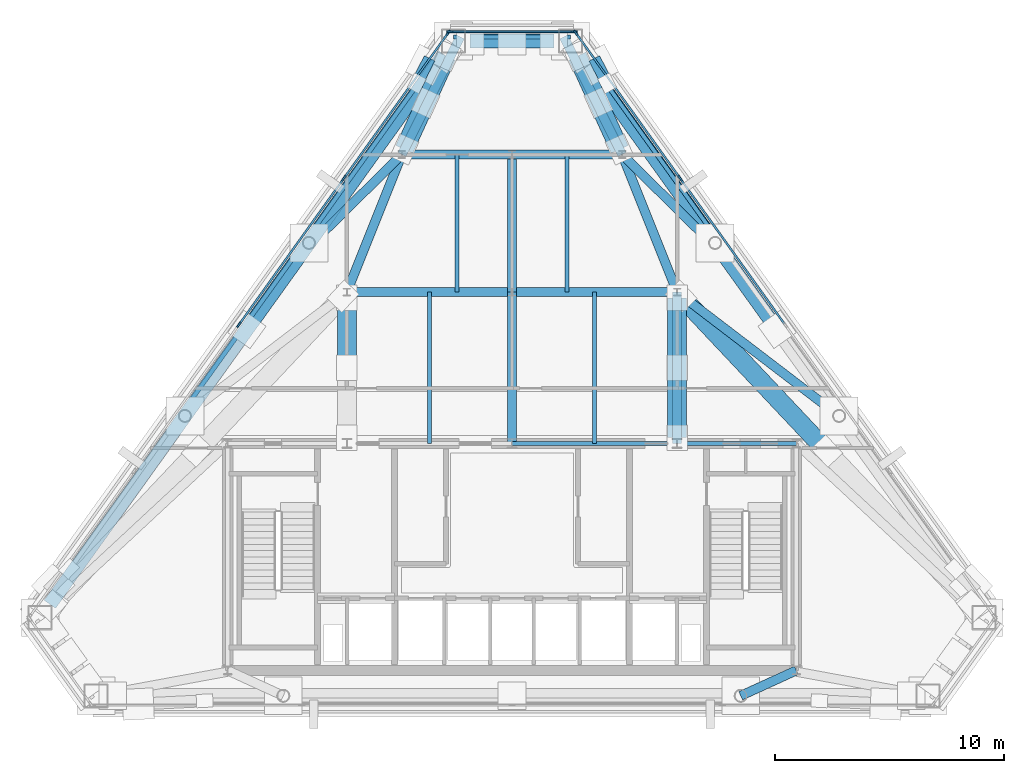
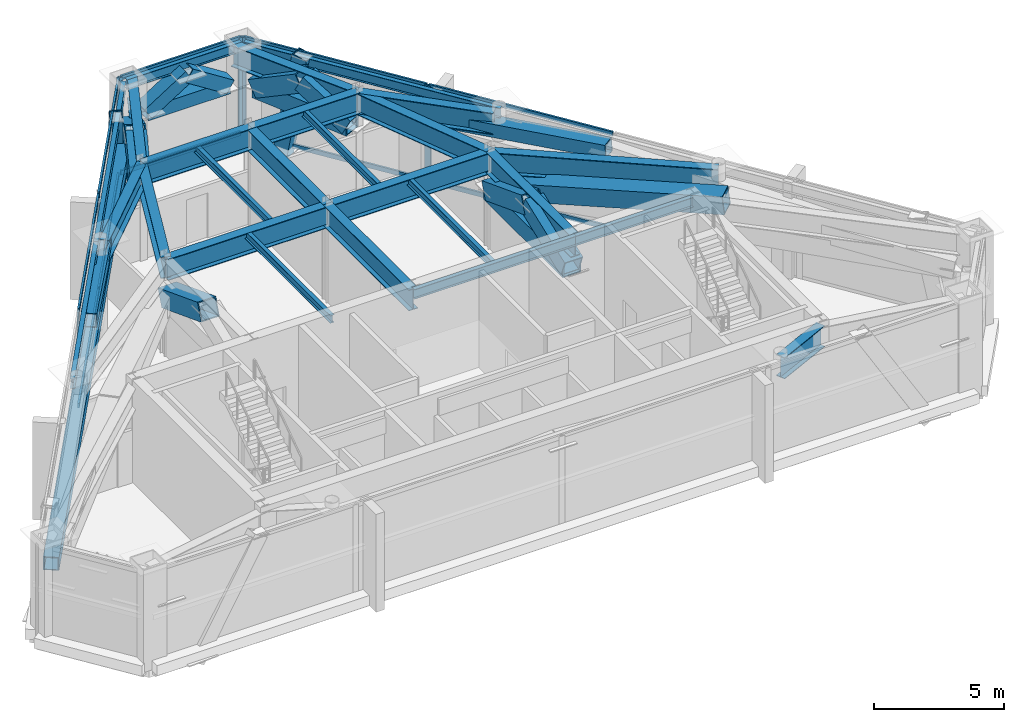
# One storey, part 3 of 9: 36 members, 25 beams, 3 elements without a shape of their own.
"""IFC4 building model written with IfcOpenShell, lengths in metres."""

from ifc_helpers import new_model, si_unit, direction, frame, origin, origin_2d, place, context, subcontext, project, spatial, rectangle, hollow_rectangle, i_section, extrude, material, layer, layer_set, material_profile, profile_set, type_object, element, aggregate, save


model = new_model("IFC4")

# Units and contexts
model_context = context("Model", 3, precision=1e-05, world=origin(), true_north=direction((0.0, 1.0)))
body_context = subcontext(model_context, "Body", "Model", "MODEL_VIEW")
ifc_project = project(units=[si_unit("LENGTHUNIT", "METRE"), si_unit("AREAUNIT", "SQUARE_METRE"), si_unit("VOLUMEUNIT", "CUBIC_METRE"), si_unit("PLANEANGLEUNIT", "RADIAN"), si_unit("MASSUNIT", "GRAM", prefix="KILO")], contexts=[model_context])

# Site, building, storey
site_placement = place(None, origin())
site = spatial("IfcSite", under=ifc_project, at=site_placement, CompositionType="ELEMENT")
building_placement = place(site_placement, origin())
building = spatial("IfcBuilding", under=site, at=building_placement, Name="Talgorran Terracotta Tower", CompositionType="ELEMENT")
storey_placement = place(building_placement, frame((0.0, 0.0, 244.199951171875)))
storey = spatial("IfcBuildingStorey", under=building, at=storey_placement, Name="L64", CompositionType="ELEMENT", Elevation=244.199951171875)

# Beams
ifc_material_1 = material(Name="Steel Grade 350 (350L0)", Category="steel")
ifc_material_profile_1 = material_profile(ifc_material_1, i_section(OverallWidth=0.39990234375, OverallDepth=1.0, WebThickness=0.01611328125, FlangeThickness=0.031005859375, at=origin_2d()), Name="1000WB296")
ifc_profile_set_1 = profile_set([ifc_material_profile_1], Name="Steel Grade 350 (350L0)")
beam_type_1 = type_object("IfcBeamType", Name="BM_1000WB296", PredefinedType="BEAM", material=ifc_profile_set_1)
beam_1_placement = place(storey_placement, frame((12.39990234375, -14.10009765625, 4.045166015625), z_axis=(-0.909558570389, -0.415575753661, 0.0), x_axis=(0.415575753661, -0.909558570389, 0.0)))
element("IfcBeam", 1, at=beam_1_placement, inside=storey, type_object=beam_type_1, Name="L64 South-East Core Tie Beam", PredefinedType="BEAM", context=body_context, shape_type="SweptSolid", body=[
    extrude(i_section(OverallWidth=0.39990234375, OverallDepth=1.0, WebThickness=0.01611328125, FlangeThickness=0.031005859375, at=origin_2d()), origin(), (0.0, 0.0, 1.0), 2.665283203125),
])
for number, where, z_axis, x_axis, name in (
    (2, (2.258056640625, 13.53662109375, 4.045166015625), (0.443529350633, -0.896259847994, 0.0), (0.896259847994, 0.443529350633, 0.0), "L64 Perimeter Step Girder 9B"),
    (3, (-2.258056640625, 13.53662109375, 4.045166015625), (-0.443529350633, -0.896259847994, 0.0), (0.896259847994, -0.443529350633, 0.0), "L64 Perimeter Step Girder 10B"),
):
    element("IfcBeam", number, at=place(storey_placement, frame(where, z_axis=z_axis, x_axis=x_axis)), inside=storey, type_object=beam_type_1, Name=name, PredefinedType="BEAM", context=body_context, shape_type="SweptSolid", body=[
        extrude(i_section(OverallWidth=0.39990234375, OverallDepth=1.0, WebThickness=0.01611328125, FlangeThickness=0.031005859375, at=origin_2d()), origin(), (0.0, 0.0, 1.0), 5.731201171875),
    ])
for number, where, z_axis, x_axis, name in (
    (4, (0.0, -4.199951171875, 4.045166015625), (0.0, 1.0, 0.0), (-1.0, 0.0, 0.0), "L64 Floor Girder G02"),
    (5, (7.199951171875, -4.199951171875, 4.045166015625), (0.0, 1.0, 0.0), (-1.0, 0.0, 0.0), "L64 Floor Girder G03"),
):
    element("IfcBeam", number, at=place(storey_placement, frame(where, z_axis=z_axis, x_axis=x_axis)), inside=storey, type_object=beam_type_1, Name=name, PredefinedType="BEAM", context=body_context, shape_type="SweptSolid", body=[
        extrude(i_section(OverallWidth=0.39990234375, OverallDepth=1.0, WebThickness=0.01611328125, FlangeThickness=0.031005859375, at=origin_2d()), origin(), (0.0, 0.0, 1.0), 6.599853515625),
    ])
for number, where, z_axis, x_axis, name in (
    (6, (-7.199951171875, 2.39990234375, 4.045166015625), (1.0, 0.0, 0.0), (0.0, 1.0, 0.0), "L64 Floor Girder G04"),
    (7, (0.0, 2.39990234375, 4.045166015625), (1.0, 0.0, 0.0), (0.0, 1.0, 0.0), "L64 Floor Girder G05"),
):
    element("IfcBeam", number, at=place(storey_placement, frame(where, z_axis=z_axis, x_axis=x_axis)), inside=storey, type_object=beam_type_1, Name=name, PredefinedType="BEAM", context=body_context, shape_type="SweptSolid", body=[
        extrude(i_section(OverallWidth=0.39990234375, OverallDepth=1.0, WebThickness=0.01611328125, FlangeThickness=0.031005859375, at=origin_2d()), origin(), (0.0, 0.0, 1.0), 7.199951171875),
    ])
beam_2_placement = place(storey_placement, frame((7.199951171875, 2.39990234375, 4.045166015625), z_axis=(0.794675605049, -0.60703433407, 0.0), x_axis=(0.60703433407, 0.794675605049, 0.0)))
element("IfcBeam", 8, at=beam_2_placement, inside=storey, type_object=beam_type_1, Name="L64 Floor Girder G07", PredefinedType="BEAM", context=body_context, shape_type="SweptSolid", body=[
    extrude(i_section(OverallWidth=0.39990234375, OverallDepth=1.0, WebThickness=0.01611328125, FlangeThickness=0.031005859375, at=origin_2d()), origin(), (0.0, 0.0, 1.0), 8.894287109375),
])
beam_3_placement = place(storey_placement, frame((-7.199951171875, 2.39990234375, 4.045166015625), z_axis=(0.371377648723, 0.928481901832, 0.0), x_axis=(-0.928481901832, 0.371377648723, 0.0)))
element("IfcBeam", 9, at=beam_3_placement, inside=storey, type_object=beam_type_1, Name="L64 Floor Girder G08", PredefinedType="BEAM", context=body_context, shape_type="SweptSolid", body=[
    extrude(i_section(OverallWidth=0.39990234375, OverallDepth=1.0, WebThickness=0.01611328125, FlangeThickness=0.031005859375, at=origin_2d()), origin(), (0.0, 0.0, 1.0), 6.462158203125),
])
beam_4_placement = place(storey_placement, frame((0.0, 2.39990234375, 4.045166015625), z_axis=(0.0, 1.0, 0.0), x_axis=(-1.0, 0.0, 0.0)))
element("IfcBeam", 10, at=beam_4_placement, inside=storey, type_object=beam_type_1, Name="L64 Floor Girder G09", PredefinedType="BEAM", context=body_context, shape_type="SweptSolid", body=[
    extrude(i_section(OverallWidth=0.39990234375, OverallDepth=1.0, WebThickness=0.01611328125, FlangeThickness=0.031005859375, at=origin_2d()), origin(), (0.0, 0.0, 1.0), 6.0),
])
beam_5_placement = place(storey_placement, frame((7.199951171875, 2.39990234375, 4.045166015625), z_axis=(-0.371377648723, 0.928481901832, 0.0), x_axis=(-0.928481901832, -0.371377648723, 0.0)))
element("IfcBeam", 11, at=beam_5_placement, inside=storey, type_object=beam_type_1, Name="L64 Floor Girder G10", PredefinedType="BEAM", context=body_context, shape_type="SweptSolid", body=[
    extrude(i_section(OverallWidth=0.39990234375, OverallDepth=1.0, WebThickness=0.01611328125, FlangeThickness=0.031005859375, at=origin_2d()), origin(), (0.0, 0.0, 1.0), 6.462158203125),
])
for number, where, z_axis, x_axis, name in (
    (12, (-4.800048828125, 8.39990234375, 4.045166015625), (1.0, 0.0, 0.0), (0.0, 1.0, 0.0), "L64 Floor Girder G11"),
    (13, (0.0, 8.39990234375, 4.045166015625), (1.0, 0.0, 0.0), (0.0, 1.0, 0.0), "L64 Floor Girder G12"),
):
    element("IfcBeam", number, at=place(storey_placement, frame(where, z_axis=z_axis, x_axis=x_axis)), inside=storey, type_object=beam_type_1, Name=name, PredefinedType="BEAM", context=body_context, shape_type="SweptSolid", body=[
        extrude(i_section(OverallWidth=0.39990234375, OverallDepth=1.0, WebThickness=0.01611328125, FlangeThickness=0.031005859375, at=origin_2d()), origin(), (0.0, 0.0, 1.0), 4.800048828125),
    ])
for number, where, z_axis, x_axis, name in (
    (14, (-4.800048828125, 8.39990234375, 4.045166015625), (-0.711847800696, -0.702333758725, 0.0), (0.702333758725, -0.711847800696, 0.0), "L64 Floor Girder G13"),
    (15, (4.800048828125, 8.39990234375, 4.045166015625), (0.711847800696, -0.702333758725, 0.0), (0.702333758725, 0.711847800696, 0.0), "L64 Floor Girder G14"),
):
    element("IfcBeam", number, at=place(storey_placement, frame(where, z_axis=z_axis, x_axis=x_axis)), inside=storey, type_object=beam_type_1, Name=name, PredefinedType="BEAM", context=body_context, shape_type="SweptSolid", body=[
        extrude(i_section(OverallWidth=0.39990234375, OverallDepth=1.0, WebThickness=0.01611328125, FlangeThickness=0.031005859375, at=origin_2d()), origin(), (0.0, 0.0, 1.0), 5.440185546875),
    ])
ifc_material_2 = material(Name="Steel S355 (300PLUS)", Category="steel")
ifc_material_profile_2 = material_profile(ifc_material_2, i_section(OverallWidth=0.17138671875, OverallDepth=0.355712890625, WebThickness=0.00732421875, FlangeThickness=0.011474609375, at=origin_2d()), Name="360UB50.7")
ifc_profile_set_2 = profile_set([ifc_material_profile_2], Name="Steel S355 (300PLUS)")
beam_type_2 = type_object("IfcBeamType", Name="BM_JS_360UB51", PredefinedType="JOIST", material=ifc_profile_set_2)
for number, where, z_axis, x_axis, name in (
    (16, (-3.60009765625, -4.199951171875, 4.3671875), (0.0, 1.0, 0.0), (-1.0, 0.0, 0.0), "L64 Secondary Joist J01"),
    (17, (3.60009765625, -4.199951171875, 4.3671875), (0.0, 1.0, 0.0), (-1.0, 0.0, 0.0), "L64 Secondary Joist J02"),
):
    element("IfcBeam", number, at=place(storey_placement, frame(where, z_axis=z_axis, x_axis=x_axis)), inside=storey, type_object=beam_type_2, Name=name, PredefinedType="JOIST", context=body_context, shape_type="SweptSolid", body=[
        extrude(i_section(OverallWidth=0.17138671875, OverallDepth=0.355712890625, WebThickness=0.00732421875, FlangeThickness=0.011474609375, at=origin_2d()), origin(), (0.0, 0.0, 1.0), 6.599853515625),
    ])
for number, where, z_axis, x_axis, name in (
    (18, (-2.39990234375, 2.39990234375, 4.3671875), (0.0, 1.0, 0.0), (-1.0, 0.0, 0.0), "L64 Secondary Joist J03"),
    (19, (2.39990234375, 2.39990234375, 4.3671875), (0.0, 1.0, 0.0), (-1.0, 0.0, 0.0), "L64 Secondary Joist J04"),
):
    element("IfcBeam", number, at=place(storey_placement, frame(where, z_axis=z_axis, x_axis=x_axis)), inside=storey, type_object=beam_type_2, Name=name, PredefinedType="JOIST", context=body_context, shape_type="SweptSolid", body=[
        extrude(i_section(OverallWidth=0.17138671875, OverallDepth=0.355712890625, WebThickness=0.00732421875, FlangeThickness=0.011474609375, at=origin_2d()), origin(), (0.0, 0.0, 1.0), 6.0),
    ])
ifc_material_profile_3 = material_profile(ifc_material_2, i_section(OverallWidth=0.18994140625, OverallDepth=0.45703125, WebThickness=0.009033203125, FlangeThickness=0.014404296875, at=origin_2d()), Name="460UB74.6")
ifc_profile_set_3 = profile_set([ifc_material_profile_3], Name="Steel S355 (300PLUS)")
beam_type_3 = type_object("IfcBeamType", Name="BM_SP_460UB74", PredefinedType="SPANDREL", material=ifc_profile_set_3)
beam_6_placement = place(storey_placement, frame((9.0048828125, 4.65087890625, 4.316650390625), z_axis=(-0.5826658635, 0.812711813321, 0.0), x_axis=(-0.812711813321, -0.5826658635, 0.0)))
element("IfcBeam", 20, at=beam_6_placement, inside=storey, type_object=beam_type_3, Name="L64 Perimeter Spandrel Beam FC4-MC5", PredefinedType="SPANDREL", context=body_context, shape_type="SweptSolid", body=[
    extrude(i_section(OverallWidth=0.18994140625, OverallDepth=0.45703125, WebThickness=0.009033203125, FlangeThickness=0.014404296875, at=origin_2d()), origin(), (0.0, 0.0, 1.0), 10.831298828125),
])
beam_7_placement = place(storey_placement, frame((2.547607421875, 13.528564453125, 4.316650390625), z_axis=(-1.0, 0.0, 0.0), x_axis=(0.0, -1.0, 0.0)))
element("IfcBeam", 21, at=beam_7_placement, inside=storey, type_object=beam_type_3, Name="L64 Perimeter Spandrel Beam MC5-MC6", PredefinedType="SPANDREL", context=body_context, shape_type="SweptSolid", body=[
    extrude(i_section(OverallWidth=0.18994140625, OverallDepth=0.45703125, WebThickness=0.009033203125, FlangeThickness=0.014404296875, at=origin_2d()), origin(), (0.0, 0.0, 1.0), 5.09521484375),
])
beam_8_placement = place(storey_placement, frame((-2.69384765625, 13.45361328125, 4.316650390625), z_axis=(-0.5826658635, -0.812711813321, 0.0), x_axis=(0.812711813321, -0.5826658635, 0.0)))
element("IfcBeam", 22, at=beam_8_placement, inside=storey, type_object=beam_type_3, Name="L64 Perimeter Spandrel Beam MC6-FC5", PredefinedType="SPANDREL", context=body_context, shape_type="SweptSolid", body=[
    extrude(i_section(OverallWidth=0.18994140625, OverallDepth=0.45703125, WebThickness=0.009033203125, FlangeThickness=0.014404296875, at=origin_2d()), origin(), (0.0, 0.0, 1.0), 10.831298828125),
])
beam_9_placement = place(storey_placement, frame((-9.0048828125, 4.65087890625, 4.316650390625), z_axis=(-0.582665161137, -0.812712316873, 0.0), x_axis=(0.812712316873, -0.582665161137, 0.0)))
element("IfcBeam", 23, at=beam_9_placement, inside=storey, type_object=beam_type_3, Name="L64 Perimeter Spandrel Beam FC5-FC6", PredefinedType="SPANDREL", context=body_context, shape_type="SweptSolid", body=[
    extrude(i_section(OverallWidth=0.18994140625, OverallDepth=0.45703125, WebThickness=0.009033203125, FlangeThickness=0.014404296875, at=origin_2d()), origin(), (0.0, 0.0, 1.0), 9.283935546875),
])
beam_10_placement = place(storey_placement, frame((0.0, -4.199951171875, 4.316650390625), z_axis=(1.0, 0.0, 0.0), x_axis=(0.0, 1.0, 0.0)))
element("IfcBeam", 24, at=beam_10_placement, inside=storey, type_object=beam_type_3, Name="L64 Core Frame Beam CFN3", PredefinedType="SPANDREL", context=body_context, shape_type="SweptSolid", body=[
    extrude(i_section(OverallWidth=0.18994140625, OverallDepth=0.45703125, WebThickness=0.009033203125, FlangeThickness=0.014404296875, at=origin_2d()), origin(), (0.0, 0.0, 1.0), 7.199951171875),
])
beam_11_placement = place(storey_placement, frame((7.199951171875, -4.199951171875, 4.316650390625), z_axis=(1.0, 0.0, 0.0), x_axis=(0.0, 1.0, 0.0)))
element("IfcBeam", 25, at=beam_11_placement, inside=storey, type_object=beam_type_3, Name="L64 Core Frame Beam CFN4", PredefinedType="SPANDREL", context=body_context, shape_type="SweptSolid", body=[
    extrude(i_section(OverallWidth=0.18994140625, OverallDepth=0.45703125, WebThickness=0.009033203125, FlangeThickness=0.014404296875, at=origin_2d()), origin(), (0.0, 0.0, 1.0), 5.199951171875),
])

# Members
ifc_material_profile_4 = material_profile(ifc_material_1, hollow_rectangle(XDim=0.6201171875, YDim=0.6201171875, WallThickness=0.034912109375, at=origin_2d()), Name="WBOX620X620X35")
ifc_profile_set_4 = profile_set([ifc_material_profile_4], Name="Steel Grade 350 (350L0)")
member_type_1 = type_object("IfcMemberType", Name="MB_BELT_CHORD", PredefinedType="CHORD", material=ifc_profile_set_4)
member_1_placement = place(storey_placement, frame((1.827392578125, 13.3486328125, 2.920166015625), z_axis=(-1.0, 0.0, 0.0), x_axis=(0.0, -1.0, 0.0)))
element("IfcMember", 26, at=member_1_placement, inside=storey, type_object=member_type_1, Name="L64 Belt Truss Chord BT5", PredefinedType="CHORD", context=body_context, shape_type="SweptSolid", body=[
    extrude(hollow_rectangle(XDim=0.6201171875, YDim=0.6201171875, WallThickness=0.034912109375, at=origin_2d()), origin(), (0.0, 0.0, 1.0), 3.65478515625),
])
member_2_placement = place(storey_placement, frame((-2.967041015625, 12.763427734375, 2.920166015625), z_axis=(-0.582665707381, -0.812711925249, 0.0), x_axis=(0.812711925249, -0.582665707381, 0.0)))
element("IfcMember", 27, at=member_2_placement, inside=storey, type_object=member_type_1, Name="L64 Belt Truss Chord BT6", PredefinedType="CHORD", context=body_context, shape_type="SweptSolid", body=[
    extrude(hollow_rectangle(XDim=0.6201171875, YDim=0.6201171875, WallThickness=0.034912109375, at=origin_2d()), origin(), (0.0, 0.0, 1.0), 29.50634765625),
])
ifc_material_profile_5 = material_profile(ifc_material_1, hollow_rectangle(XDim=0.6201171875, YDim=0.6201171875, WallThickness=0.034912109375, at=origin_2d()), Name="WBOX620X620X35")
ifc_profile_set_5 = profile_set([ifc_material_profile_5], Name="Steel Grade 350 (350L0)")
member_type_2 = type_object("IfcMemberType", Name="MB_BELT_DIAG", PredefinedType="BRACE", material=ifc_profile_set_5)
member_3_placement = place(storey_placement, frame((11.563232421875, 0.773193359375, 4.0849609375), z_axis=(-0.580854274493, 0.810193556629, -0.078706496552), x_axis=(-0.81271473429, -0.582661789264, 0.0)))
element("IfcMember", 28, at=member_3_placement, inside=storey, type_object=member_type_2, Name="L64 Belt Truss Diagonal BT4-2", PredefinedType="BRACE", context=body_context, shape_type="SweptSolid", body=[
    extrude(hollow_rectangle(XDim=0.6201171875, YDim=0.6201171875, WallThickness=0.034912109375, at=origin_2d()), origin(), (0.0, 0.0, 1.0), 14.79931640625),
])
for number, where, z_axis, x_axis, name in (
    (29, (1.827392578125, 13.3486328125, 2.920166015625), (-0.843262304816, 0.0, 0.537502265368), (0.0, -1.0, 0.0), "L64 Belt Truss Diagonal BT5-1"),
    (30, (0.0, 13.3486328125, 4.0849609375), (-0.843262304816, 0.0, -0.537502265368), (0.0, -1.0, 0.0), "L64 Belt Truss Diagonal BT5-2"),
):
    element("IfcMember", number, at=place(storey_placement, frame(where, z_axis=z_axis, x_axis=x_axis)), inside=storey, type_object=member_type_2, Name=name, PredefinedType="BRACE", context=body_context, shape_type="SweptSolid", body=[
        extrude(hollow_rectangle(XDim=0.6201171875, YDim=0.6201171875, WallThickness=0.034912109375, at=origin_2d()), origin(), (0.0, 0.0, 1.0), 2.1669921875),
    ])
member_4_placement = place(storey_placement, frame((-2.967041015625, 12.763427734375, 2.920166015625), z_axis=(-0.580854274493, -0.810193556629, 0.078706496552), x_axis=(0.81271473429, -0.582661789264, 0.0)))
element("IfcMember", 31, at=member_4_placement, inside=storey, type_object=member_type_2, Name="L64 Belt Truss Diagonal BT6-1", PredefinedType="BRACE", context=body_context, shape_type="SweptSolid", body=[
    extrude(hollow_rectangle(XDim=0.6201171875, YDim=0.6201171875, WallThickness=0.034912109375, at=origin_2d()), origin(), (0.0, 0.0, 1.0), 14.79931640625),
])
ifc_material_profile_6 = material_profile(ifc_material_1, hollow_rectangle(XDim=0.52001953125, YDim=0.659912109375, WallThickness=0.034912109375, at=origin_2d()), Name="WBOX660X520X35")
ifc_profile_set_6 = profile_set([ifc_material_profile_6], Name="Steel Grade 350 (350L0)")
member_type_3 = type_object("IfcMemberType", Name="MB_MEGA_660", PredefinedType="BRACE", material=ifc_profile_set_6)
for number, where, z_axis, x_axis, name in (
    (32, (3.73828125, 12.305419921875, -0.33984375), (0.083054262347, -0.159554183613, 0.983689204982), (0.887020825336, 0.461729417971, 0.0), "L64 Exterior Face Mega-Brace MB-3 (NEU)"),
    (33, (-3.73828125, 12.305419921875, -0.33984375), (-0.083054262347, -0.159554183613, 0.983689204982), (0.887020825336, -0.461729417971, 0.0), "L64 Exterior Face Mega-Brace MB-3 (NWU)"),
):
    element("IfcMember", number, at=place(storey_placement, frame(where, z_axis=z_axis, x_axis=x_axis)), inside=storey, type_object=member_type_3, Name=name, PredefinedType="BRACE", context=body_context, shape_type="SweptSolid", body=[
        extrude(hollow_rectangle(XDim=0.52001953125, YDim=0.659912109375, WallThickness=0.034912109375, at=origin_2d()), origin(), (0.0, 0.0, 1.0), 4.9912109375),
    ])
ifc_material_profile_7 = material_profile(ifc_material_1, hollow_rectangle(XDim=0.820068359375, YDim=0.820068359375, WallThickness=0.044921875, at=origin_2d()), Name="WBOX820X820X45")
ifc_profile_set_7 = profile_set([ifc_material_profile_7], Name="Steel Grade 350 (350L0)")
member_type_4 = type_object("IfcMemberType", Name="MB_OUT_CHORD", PredefinedType="CHORD", material=ifc_profile_set_7)
member_5_placement = place(storey_placement, frame((7.199951171875, -3.949951171875, 2.920166015625), z_axis=(0.0, 1.0, 0.0), x_axis=(-1.0, 0.0, 0.0)))
element("IfcMember", 34, at=member_5_placement, inside=storey, type_object=member_type_4, Name="L64 Outrigger Bottom Chord OR2", PredefinedType="CHORD", context=body_context, shape_type="SweptSolid", body=[
    extrude(hollow_rectangle(XDim=0.820068359375, YDim=0.820068359375, WallThickness=0.044921875, at=origin_2d()), origin(), (0.0, 0.0, 1.0), 6.099853515625),
])
for number, where, z_axis, x_axis, name in (
    (35, (-4.6962890625, 8.62744140625, 2.920166015625), (0.414255823967, 0.910160487117, 0.0), (-0.910160487117, 0.414255823967, 0.0), "L64 Outrigger Bottom Chord OR5"),
    (36, (4.6962890625, 8.62744140625, 2.920166015625), (-0.414255823967, 0.910160487117, 0.0), (-0.910160487117, -0.414255823967, 0.0), "L64 Outrigger Bottom Chord OR6"),
):
    element("IfcMember", number, at=place(storey_placement, frame(where, z_axis=z_axis, x_axis=x_axis)), inside=storey, type_object=member_type_4, Name=name, PredefinedType="CHORD", context=body_context, shape_type="SweptSolid", body=[
        extrude(hollow_rectangle(XDim=0.820068359375, YDim=0.820068359375, WallThickness=0.044921875, at=origin_2d()), origin(), (0.0, 0.0, 1.0), 4.46728515625),
    ])
ifc_material_profile_8 = material_profile(ifc_material_1, hollow_rectangle(XDim=0.820068359375, YDim=0.820068359375, WallThickness=0.044921875, at=origin_2d()), Name="WBOX820X820X45")
ifc_profile_set_8 = profile_set([ifc_material_profile_8], Name="Steel Grade 350 (350L0)")
member_type_5 = type_object("IfcMemberType", Name="MB_OUT_DIAG", PredefinedType="BRACE", material=ifc_profile_set_8)
member_6_placement = place(storey_placement, frame((-7.199951171875, -0.89990234375, 4.0849609375), z_axis=(0.0, 0.934185306036, -0.356788192051), x_axis=(-1.0, 0.0, 0.0)))
element("IfcMember", 37, at=member_6_placement, inside=storey, type_object=member_type_5, Name="L64 Outrigger Web Diagonal OR1-2", PredefinedType="BRACE", context=body_context, shape_type="SweptSolid", body=[
    extrude(hollow_rectangle(XDim=0.820068359375, YDim=0.820068359375, WallThickness=0.044921875, at=origin_2d()), origin(), (0.0, 0.0, 1.0), 3.2646484375),
])
member_7_placement = place(storey_placement, frame((7.199951171875, -3.949951171875, 2.920166015625), z_axis=(0.0, 0.934194824711, 0.356763268126), x_axis=(-1.0, 0.0, 0.0)))
element("IfcMember", 38, at=member_7_placement, inside=storey, type_object=member_type_5, Name="L64 Outrigger Web Diagonal OR2-1", PredefinedType="BRACE", context=body_context, shape_type="SweptSolid", body=[
    extrude(hollow_rectangle(XDim=0.820068359375, YDim=0.820068359375, WallThickness=0.044921875, at=origin_2d()), origin(), (0.0, 0.0, 1.0), 3.264892578125),
])
member_8_placement = place(storey_placement, frame((7.199951171875, -0.89990234375, 4.0849609375), z_axis=(0.0, 0.934185306036, -0.356788192051), x_axis=(-1.0, 0.0, 0.0)))
element("IfcMember", 39, at=member_8_placement, inside=storey, type_object=member_type_5, Name="L64 Outrigger Web Diagonal OR2-2", PredefinedType="BRACE", context=body_context, shape_type="SweptSolid", body=[
    extrude(hollow_rectangle(XDim=0.820068359375, YDim=0.820068359375, WallThickness=0.044921875, at=origin_2d()), origin(), (0.0, 0.0, 1.0), 3.2646484375),
])
member_9_placement = place(storey_placement, frame((7.371337890625, 2.218017578125, 2.920166015625), z_axis=(0.680363229905, -0.722195156288, 0.124659663193), x_axis=(0.727872884498, 0.685712085363, 0.0)))
element("IfcMember", 40, at=member_9_placement, inside=storey, type_object=member_type_5, Name="L64 Outrigger Web Diagonal OR4-1", PredefinedType="BRACE", context=body_context, shape_type="SweptSolid", body=[
    extrude(hollow_rectangle(XDim=0.820068359375, YDim=0.820068359375, WallThickness=0.044921875, at=origin_2d()), origin(), (0.0, 0.0, 1.0), 9.34375),
])
for number, where, z_axis, x_axis, name in (
    (41, (-4.6962890625, 8.62744140625, 2.920166015625), (0.367311750717, 0.807019775255, 0.462386375375), (-0.910160487117, 0.414255823967, 0.0), "L64 Outrigger Web Diagonal OR5-1"),
    (42, (-3.77099609375, 10.660400390625, 4.0849609375), (0.367311750717, 0.807019775255, -0.462386375375), (-0.910160487117, 0.414255823967, 0.0), "L64 Outrigger Web Diagonal OR5-2"),
    (43, (4.6962890625, 8.62744140625, 2.920166015625), (-0.367311750717, 0.807019775255, 0.462386375375), (-0.910160487117, -0.414255823967, 0.0), "L64 Outrigger Web Diagonal OR6-1"),
    (44, (3.77099609375, 10.660400390625, 4.0849609375), (-0.367311750717, 0.807019775255, -0.462386375375), (-0.910160487117, -0.414255823967, 0.0), "L64 Outrigger Web Diagonal OR6-2"),
):
    element("IfcMember", number, at=place(storey_placement, frame(where, z_axis=z_axis, x_axis=x_axis)), inside=storey, type_object=member_type_5, Name=name, PredefinedType="BRACE", context=body_context, shape_type="SweptSolid", body=[
        extrude(hollow_rectangle(XDim=0.820068359375, YDim=0.820068359375, WallThickness=0.044921875, at=origin_2d()), origin(), (0.0, 0.0, 1.0), 2.51904296875),
    ])

# Curtain wall, members
ifc_material_3 = material(Name="Anodised Aluminium Louvre", Category="aluminium")
ifc_layer = layer(ifc_material_3, 0.25, Name="CW_SYS4_LOUVRE")
ifc_layer_set = layer_set([ifc_layer], Name="Anodised Aluminium Louvre")
curtain_wall_type = type_object("IfcCurtainWallType", Name="CW_SYS4_LOUVRE", PredefinedType="NOTDEFINED", material=ifc_layer_set)
curtain_wall_1_placement = place(storey_placement, origin())
curtain_wall_1 = element("IfcCurtainWall", 45, at=curtain_wall_1_placement, inside=storey, type_object=curtain_wall_type, Name="CW-L64-F3", PredefinedType="NOTDEFINED")
ifc_material_4 = material(Name="Architectural Aluminium 6063-T6", Category="aluminium")
ifc_material_profile_9 = material_profile(ifc_material_4, rectangle(XDim=0.0849609375, YDim=0.260009765625, at=origin_2d()), Name="CWM85X260")
ifc_profile_set_9 = profile_set([ifc_material_profile_9], Name="Architectural Aluminium 6063-T6")
member_type_6 = type_object("IfcMemberType", Name="MUL_85X260", PredefinedType="MULLION", material=ifc_profile_set_9)
member_10_placement = place(storey_placement, frame((7.33251953125, 7.36083984375, 0.0), z_axis=(0.0, 0.0, 1.0), x_axis=(-0.812712644972, -0.582664703498, 0.0)))
member_10 = element("IfcMember", 46, at=member_10_placement, type_object=member_type_6, Name="CW-L64-3 mullion 4", PredefinedType="MULLION", context=body_context, shape_type="SweptSolid", body=[
    extrude(rectangle(XDim=0.0849609375, YDim=0.260009765625, at=origin_2d()), origin(), (0.0, 0.0, 1.0), 4.545166015625),
])
member_11_placement = place(storey_placement, frame((2.777587890625, 13.714111328125, 0.0), z_axis=(0.0, 0.0, 1.0), x_axis=(-0.812712644972, -0.582664703498, 0.0)))
member_11 = element("IfcMember", 47, at=member_11_placement, type_object=member_type_6, Name="CW-L64-3 mullion 5", PredefinedType="MULLION", context=body_context, shape_type="SweptSolid", body=[
    extrude(rectangle(XDim=0.0849609375, YDim=0.260009765625, at=origin_2d()), origin(), (0.0, 0.0, 1.0), 4.545166015625),
])

curtain_wall_2_placement = place(storey_placement, origin())
curtain_wall_2 = element("IfcCurtainWall", 48, at=curtain_wall_2_placement, inside=storey, type_object=curtain_wall_type, Name="CW-L64-F4", PredefinedType="NOTDEFINED")
member_12_placement = place(storey_placement, frame((2.71044921875, 13.74853515625, 0.0), z_axis=(0.0, 0.0, 1.0), x_axis=(0.0, -1.0, 0.0)))
member_12 = element("IfcMember", 49, at=member_12_placement, type_object=member_type_6, Name="CW-L64-4 mullion 1", PredefinedType="MULLION", context=body_context, shape_type="SweptSolid", body=[
    extrude(rectangle(XDim=0.0849609375, YDim=0.260009765625, at=origin_2d()), origin(), (0.0, 0.0, 1.0), 4.545166015625),
])
member_13_placement = place(storey_placement, frame((-2.71044921875, 13.74853515625, 0.0), z_axis=(0.0, 0.0, 1.0), x_axis=(0.0, -1.0, 0.0)))
member_13 = element("IfcMember", 50, at=member_13_placement, type_object=member_type_6, Name="CW-L64-4 mullion 2", PredefinedType="MULLION", context=body_context, shape_type="SweptSolid", body=[
    extrude(rectangle(XDim=0.0849609375, YDim=0.260009765625, at=origin_2d()), origin(), (0.0, 0.0, 1.0), 4.545166015625),
])

curtain_wall_3_placement = place(storey_placement, origin())
curtain_wall_3 = element("IfcCurtainWall", 51, at=curtain_wall_3_placement, inside=storey, type_object=curtain_wall_type, Name="CW-L64-F5", PredefinedType="NOTDEFINED")
member_14_placement = place(storey_placement, frame((-2.777587890625, 13.714111328125, 0.0), z_axis=(0.0, 0.0, 1.0), x_axis=(0.812712644972, -0.582664703498, 0.0)))
member_14 = element("IfcMember", 52, at=member_14_placement, type_object=member_type_6, Name="CW-L64-5 mullion 1", PredefinedType="MULLION", context=body_context, shape_type="SweptSolid", body=[
    extrude(rectangle(XDim=0.0849609375, YDim=0.260009765625, at=origin_2d()), origin(), (0.0, 0.0, 1.0), 4.545166015625),
])
member_15_placement = place(storey_placement, frame((-7.33251953125, 7.36083984375, 0.0), z_axis=(0.0, 0.0, 1.0), x_axis=(0.812712644972, -0.582664703498, 0.0)))
member_15 = element("IfcMember", 53, at=member_15_placement, type_object=member_type_6, Name="CW-L64-5 mullion 2", PredefinedType="MULLION", context=body_context, shape_type="SweptSolid", body=[
    extrude(rectangle(XDim=0.0849609375, YDim=0.260009765625, at=origin_2d()), origin(), (0.0, 0.0, 1.0), 4.545166015625),
])
member_16_placement = place(storey_placement, frame((-11.912109375, 0.973388671875, 0.0), z_axis=(0.0, 0.0, 1.0), x_axis=(0.812712644972, -0.582664703498, 0.0)))
member_16 = element("IfcMember", 54, at=member_16_placement, type_object=member_type_6, Name="CW-L64-5 mullion 3", PredefinedType="MULLION", context=body_context, shape_type="SweptSolid", body=[
    extrude(rectangle(XDim=0.0849609375, YDim=0.260009765625, at=origin_2d()), origin(), (0.0, 0.0, 1.0), 4.545166015625),
])

# Member
ifc_material_profile_10 = material_profile(ifc_material_4, rectangle(XDim=0.0849609375, YDim=0.2099609375, at=origin_2d()), Name="CWT85X210")
ifc_profile_set_10 = profile_set([ifc_material_profile_10], Name="Architectural Aluminium 6063-T6")
member_type_7 = type_object("IfcMemberType", Name="TRN_85X210", PredefinedType="USERDEFINED", material=ifc_profile_set_10)
member_17_placement = place(storey_placement, frame((11.88720703125, 1.0078125, 0.04248046875), z_axis=(-0.582663119582, 0.812713780539, 0.0), x_axis=(-0.812713780539, -0.582663119582, 0.0)))
member_17 = element("IfcMember", 55, at=member_17_placement, type_object=member_type_7, Name="CW-L64-3 transom 3.1", ObjectType="TRANSOM", PredefinedType="USERDEFINED", context=body_context, shape_type="SweptSolid", body=[
    extrude(rectangle(XDim=0.0849609375, YDim=0.2099609375, at=origin_2d()), origin(), (0.0, 0.0, 1.0), 7.774658203125),
])

member_18_placement = place(storey_placement, frame((11.88720703125, 1.0078125, 4.50244140625), z_axis=(-0.582663119582, 0.812713780539, 0.0), x_axis=(-0.812713780539, -0.582663119582, 0.0)))
member_18 = element("IfcMember", 56, at=member_18_placement, type_object=member_type_7, Name="CW-L64-3 transom 3.2", ObjectType="TRANSOM", PredefinedType="USERDEFINED", context=body_context, shape_type="SweptSolid", body=[
    extrude(rectangle(XDim=0.0849609375, YDim=0.2099609375, at=origin_2d()), origin(), (0.0, 0.0, 1.0), 7.774658203125),
])

member_19_placement = place(storey_placement, frame((7.3076171875, 7.3955078125, 0.04248046875), z_axis=(-0.582659048538, 0.812716699199, 0.0), x_axis=(-0.812716699199, -0.582659048538, 0.0)))
member_19 = element("IfcMember", 57, at=member_19_placement, type_object=member_type_7, Name="CW-L64-3 transom 4.1", ObjectType="TRANSOM", PredefinedType="USERDEFINED", context=body_context, shape_type="SweptSolid", body=[
    extrude(rectangle(XDim=0.0849609375, YDim=0.2099609375, at=origin_2d()), origin(), (0.0, 0.0, 1.0), 7.73193359375),
])

member_20_placement = place(storey_placement, frame((7.3076171875, 7.3955078125, 4.50244140625), z_axis=(-0.582659048538, 0.812716699199, 0.0), x_axis=(-0.812716699199, -0.582659048538, 0.0)))
member_20 = element("IfcMember", 58, at=member_20_placement, type_object=member_type_7, Name="CW-L64-3 transom 4.2", ObjectType="TRANSOM", PredefinedType="USERDEFINED", context=body_context, shape_type="SweptSolid", body=[
    extrude(rectangle(XDim=0.0849609375, YDim=0.2099609375, at=origin_2d()), origin(), (0.0, 0.0, 1.0), 7.73193359375),
])

aggregate(curtain_wall_1, [member_10, member_11, member_17, member_18, member_19, member_20])

member_21_placement = place(storey_placement, frame((2.66796875, 13.74853515625, 0.04248046875), z_axis=(-1.0, 0.0, 0.0), x_axis=(0.0, -1.0, 0.0)))
member_21 = element("IfcMember", 59, at=member_21_placement, type_object=member_type_7, Name="CW-L64-4 transom 1.1", ObjectType="TRANSOM", PredefinedType="USERDEFINED", context=body_context, shape_type="SweptSolid", body=[
    extrude(rectangle(XDim=0.0849609375, YDim=0.2099609375, at=origin_2d()), origin(), (0.0, 0.0, 1.0), 5.3359375),
])

member_22_placement = place(storey_placement, frame((2.66796875, 13.74853515625, 4.50244140625), z_axis=(-1.0, 0.0, 0.0), x_axis=(0.0, -1.0, 0.0)))
member_22 = element("IfcMember", 60, at=member_22_placement, type_object=member_type_7, Name="CW-L64-4 transom 1.2", ObjectType="TRANSOM", PredefinedType="USERDEFINED", context=body_context, shape_type="SweptSolid", body=[
    extrude(rectangle(XDim=0.0849609375, YDim=0.2099609375, at=origin_2d()), origin(), (0.0, 0.0, 1.0), 5.3359375),
])

aggregate(curtain_wall_2, [member_12, member_13, member_21, member_22])

member_23_placement = place(storey_placement, frame((-2.802490234375, 13.679443359375, 0.04248046875), z_axis=(-0.582659048538, -0.812716699199, 0.0), x_axis=(0.812716699199, -0.582659048538, 0.0)))
member_23 = element("IfcMember", 61, at=member_23_placement, type_object=member_type_7, Name="CW-L64-5 transom 1.1", ObjectType="TRANSOM", PredefinedType="USERDEFINED", context=body_context, shape_type="SweptSolid", body=[
    extrude(rectangle(XDim=0.0849609375, YDim=0.2099609375, at=origin_2d()), origin(), (0.0, 0.0, 1.0), 7.73193359375),
])

member_24_placement = place(storey_placement, frame((-2.802490234375, 13.679443359375, 4.50244140625), z_axis=(-0.582659048538, -0.812716699199, 0.0), x_axis=(0.812716699199, -0.582659048538, 0.0)))
member_24 = element("IfcMember", 62, at=member_24_placement, type_object=member_type_7, Name="CW-L64-5 transom 1.2", ObjectType="TRANSOM", PredefinedType="USERDEFINED", context=body_context, shape_type="SweptSolid", body=[
    extrude(rectangle(XDim=0.0849609375, YDim=0.2099609375, at=origin_2d()), origin(), (0.0, 0.0, 1.0), 7.73193359375),
])

member_25_placement = place(storey_placement, frame((-7.357177734375, 7.326416015625, 0.04248046875), z_axis=(-0.582663119582, -0.812713780539, 0.0), x_axis=(0.812713780539, -0.582663119582, 0.0)))
member_25 = element("IfcMember", 63, at=member_25_placement, type_object=member_type_7, Name="CW-L64-5 transom 2.1", ObjectType="TRANSOM", PredefinedType="USERDEFINED", context=body_context, shape_type="SweptSolid", body=[
    extrude(rectangle(XDim=0.0849609375, YDim=0.2099609375, at=origin_2d()), origin(), (0.0, 0.0, 1.0), 7.774658203125),
])

member_26_placement = place(storey_placement, frame((-7.357177734375, 7.326416015625, 4.50244140625), z_axis=(-0.582663119582, -0.812713780539, 0.0), x_axis=(0.812713780539, -0.582663119582, 0.0)))
member_26 = element("IfcMember", 64, at=member_26_placement, type_object=member_type_7, Name="CW-L64-5 transom 2.2", ObjectType="TRANSOM", PredefinedType="USERDEFINED", context=body_context, shape_type="SweptSolid", body=[
    extrude(rectangle(XDim=0.0849609375, YDim=0.2099609375, at=origin_2d()), origin(), (0.0, 0.0, 1.0), 7.774658203125),
])

aggregate(curtain_wall_3, [member_14, member_15, member_16, member_23, member_24, member_25, member_26])

save(model, "model.ifc")
